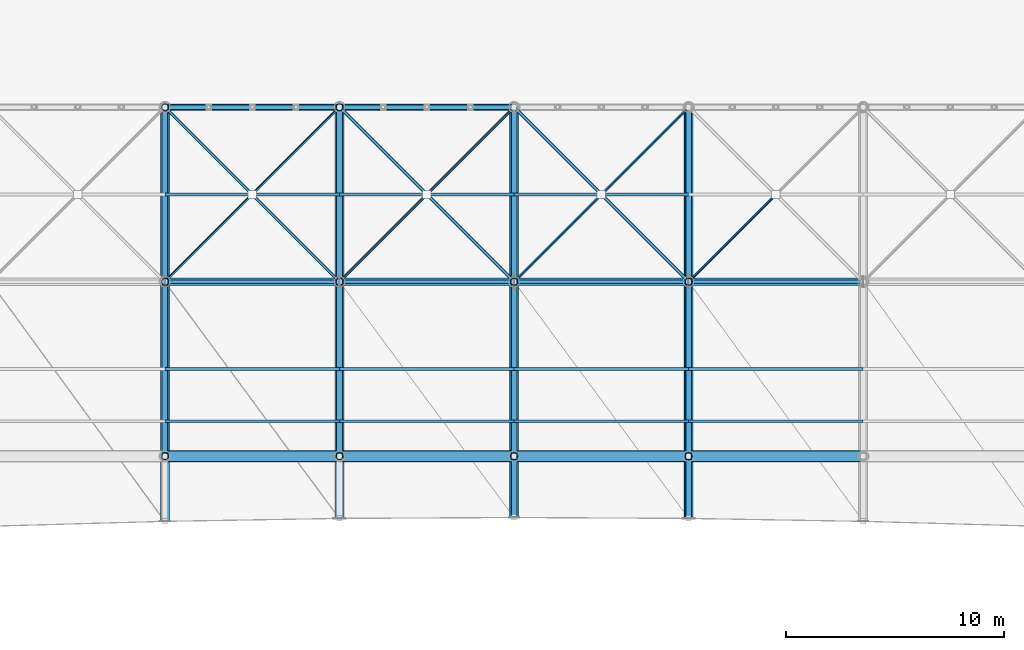
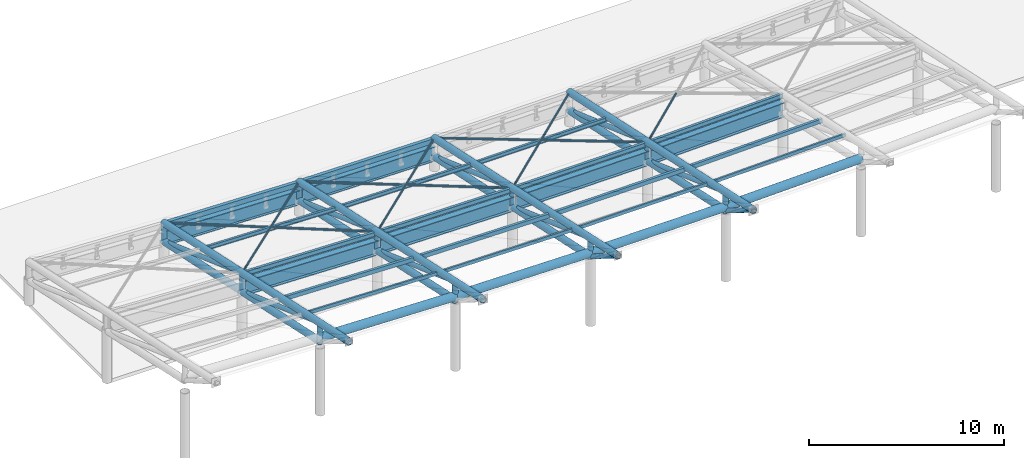
# One storey, part 17 of 54: 53 members, 12 beams.
"""IFC4 building model written with IfcOpenShell, lengths in metres."""

from ifc_helpers import new_model, si_unit, direction, frame, origin, origin_2d, place, context, subcontext, project, spatial, hollow_rectangle, hollow_circle, i_section, extrude, material, material_profile, profile_set, type_object, element, save


model = new_model("IFC4")

# Units and contexts
model_context = context("Model", 3, precision=1e-05, world=origin(), true_north=direction((0.0, 1.0)))
body_context = subcontext(model_context, "Body", "Model", "MODEL_VIEW")
ifc_project = project(units=[si_unit("LENGTHUNIT", "METRE"), si_unit("AREAUNIT", "SQUARE_METRE"), si_unit("VOLUMEUNIT", "CUBIC_METRE"), si_unit("PLANEANGLEUNIT", "RADIAN"), si_unit("MASSUNIT", "GRAM", prefix="KILO")], contexts=[model_context])

# Site, building, storey
site_placement = place(None, origin())
site = spatial("IfcSite", under=ifc_project, at=site_placement, CompositionType="ELEMENT")
building_placement = place(site_placement, origin())
building = spatial("IfcBuilding", under=site, at=building_placement, Name="Haebicheon Civic Stadium", CompositionType="ELEMENT")
storey_placement = place(building_placement, frame((0.0, 0.0, 22.800048828125)))
storey = spatial("IfcBuildingStorey", under=building, at=storey_placement, Name="L06", CompositionType="ELEMENT", Elevation=22.800048828125)

# Members
ifc_material_1 = material(Name="White painted steel SM490", Category="steel")
ifc_material_profile_1 = material_profile(ifc_material_1, hollow_circle(Radius=0.05712890625, WallThickness=0.006103515625, at=origin_2d()), Name="CHS-114.3x6.0")
ifc_profile_set_1 = profile_set([ifc_material_profile_1], Name="White painted steel SM490")
member_type_1 = type_object("IfcMemberType", Name="BRC-CHS114", PredefinedType="BRACE", material=ifc_profile_set_1)
for number, where, z_axis, x_axis, name in (
    (1, (96.0, 160.0, 2.0), (-0.696931970623, -0.696931970623, 0.169031525603), (0.707106781187, -0.707106781187, 0.0), "BR114 diagonal brace CAN-NORTH canopy bay 2 B1"),
    (2, (91.949951171875, 155.949951171875, 2.98193359375), (-0.696931970623, -0.696931970623, 0.169031525603), (0.707106781187, -0.707106781187, 0.0), "BR114 diagonal brace CAN-NORTH canopy bay 2 B2"),
):
    element("IfcMember", number, at=place(storey_placement, frame(where, z_axis=z_axis, x_axis=x_axis)), inside=storey, type_object=member_type_1, material=ifc_profile_set_1, Name=name, PredefinedType="BRACE", context=body_context, shape_type="SweptSolid", body=[
        extrude(hollow_circle(Radius=0.05712890625, WallThickness=0.006103515625, at=origin_2d()), origin(), (0.0, 0.0, 1.0), 5.667724609375),
    ])
member_1_placement = place(storey_placement, frame((104.0, 160.0, 1.927001953125), z_axis=(-0.698377172631, -0.698377172631, 0.156648171054), x_axis=(0.707106781187, -0.707106781187, 0.0)))
element("IfcMember", 3, at=member_1_placement, inside=storey, type_object=member_type_1, material=ifc_profile_set_1, Name="BR114 diagonal brace CAN-NORTH canopy bay 3 B1", PredefinedType="BRACE", context=body_context, shape_type="SweptSolid", body=[
    extrude(hollow_circle(Radius=0.05712890625, WallThickness=0.006103515625, at=origin_2d()), origin(), (0.0, 0.0, 1.0), 5.656005859375),
])
member_2_placement = place(storey_placement, frame((99.949951171875, 155.949951171875, 2.8349609375), z_axis=(-0.698396052193, -0.698396052193, 0.156479738501), x_axis=(0.707106781187, -0.707106781187, 0.0)))
element("IfcMember", 4, at=member_2_placement, inside=storey, type_object=member_type_1, material=ifc_profile_set_1, Name="BR114 diagonal brace CAN-NORTH canopy bay 3 B2", PredefinedType="BRACE", context=body_context, shape_type="SweptSolid", body=[
    extrude(hollow_circle(Radius=0.05712890625, WallThickness=0.006103515625, at=origin_2d()), origin(), (0.0, 0.0, 1.0), 5.65576171875),
])
for number, where, z_axis, x_axis, name in (
    (5, (112.0, 160.0, 2.0), (-0.699717478759, -0.699717478759, 0.144190498435), (0.707106781187, -0.707106781187, 0.0), "BR114 diagonal brace CAN-NORTH canopy bay 4 B1"),
    (6, (107.949951171875, 155.949951171875, 2.833984375), (-0.699734922757, -0.699734922757, 0.144021094801), (0.707106781187, -0.707106781187, 0.0), "BR114 diagonal brace CAN-NORTH canopy bay 4 B2"),
):
    element("IfcMember", number, at=place(storey_placement, frame(where, z_axis=z_axis, x_axis=x_axis)), inside=storey, type_object=member_type_1, material=ifc_profile_set_1, Name=name, PredefinedType="BRACE", context=body_context, shape_type="SweptSolid", body=[
        extrude(hollow_circle(Radius=0.05712890625, WallThickness=0.006103515625, at=origin_2d()), origin(), (0.0, 0.0, 1.0), 5.64501953125),
    ])
member_3_placement = place(storey_placement, frame((115.949951171875, 155.949951171875, 2.97900390625), z_axis=(-0.700966987649, -0.700966987649, 0.131493590921), x_axis=(0.707106781187, -0.707106781187, 0.0)))
element("IfcMember", 7, at=member_3_placement, inside=storey, type_object=member_type_1, material=ifc_profile_set_1, Name="BR114 diagonal brace CAN-NORTH canopy bay 5 B2", PredefinedType="BRACE", context=body_context, shape_type="SweptSolid", body=[
    extrude(hollow_circle(Radius=0.05712890625, WallThickness=0.006103515625, at=origin_2d()), origin(), (0.0, 0.0, 1.0), 5.635009765625),
])
ifc_material_2 = material(Name="White painted steel SM490", Category="steel")
ifc_material_profile_2 = material_profile(ifc_material_2, hollow_circle(Radius=0.06982421875, WallThickness=0.006591796875, at=origin_2d()), Name="CHS-139.8x6.6")
ifc_profile_set_2 = profile_set([ifc_material_profile_2], Name="White painted steel SM490")
member_type_2 = type_object("IfcMemberType", Name="BRC-CHS139", PredefinedType="BRACE", material=ifc_profile_set_2)
member_4_placement = place(storey_placement, frame((88.0, 160.0, 2.219970703125), z_axis=(0.700972726941, -0.700972726941, 0.131432386301), x_axis=(0.707106781187, 0.707106781187, 0.0)))
element("IfcMember", 8, at=member_4_placement, inside=storey, type_object=member_type_2, material=ifc_profile_set_2, Name="BR139 diagonal brace CAN-NORTH canopy bay 2 A", PredefinedType="BRACE", context=body_context, shape_type="SweptSolid", body=[
    extrude(hollow_circle(Radius=0.06982421875, WallThickness=0.006591796875, at=origin_2d()), origin(), (0.0, 0.0, 1.0), 11.41259765625),
])
member_5_placement = place(storey_placement, frame((96.0, 160.0, 2.0), z_axis=(0.699731451547, -0.699731451547, 0.144054820927), x_axis=(0.707106781187, 0.707106781187, 0.0)))
element("IfcMember", 9, at=member_5_placement, inside=storey, type_object=member_type_2, material=ifc_profile_set_2, Name="BR139 diagonal brace CAN-NORTH canopy bay 3 A", PredefinedType="BRACE", context=body_context, shape_type="SweptSolid", body=[
    extrude(hollow_circle(Radius=0.06982421875, WallThickness=0.006591796875, at=origin_2d()), origin(), (0.0, 0.0, 1.0), 11.432861328125),
])
member_6_placement = place(storey_placement, frame((104.0, 160.0, 1.927001953125), z_axis=(0.698391073752, -0.698391073752, 0.156524171315), x_axis=(0.707106781187, 0.707106781187, 0.0)))
element("IfcMember", 10, at=member_6_placement, inside=storey, type_object=member_type_2, material=ifc_profile_set_2, Name="BR139 diagonal brace CAN-NORTH canopy bay 4 A", PredefinedType="BRACE", context=body_context, shape_type="SweptSolid", body=[
    extrude(hollow_circle(Radius=0.06982421875, WallThickness=0.006591796875, at=origin_2d()), origin(), (0.0, 0.0, 1.0), 11.454833984375),
])
ifc_material_3 = material(Name="White painted steel SM490", Category="steel")
ifc_material_profile_3 = material_profile(ifc_material_3, hollow_circle(Radius=0.1337890625, WallThickness=0.011962890625, at=origin_2d()), Name="CHS-267.4x12.0")
ifc_profile_set_3 = profile_set([ifc_material_profile_3], Name="White painted steel SM490")
member_type_3 = type_object("IfcMemberType", Name="BRC-CHS267", PredefinedType="BRACE", material=ifc_profile_set_3)
for number, where, z_axis, x_axis, name in (
    (11, (88.0, 160.0, 1.070068359375), (0.0, -0.9412665544, 0.3376644393), (1.0, 0.0, 0.0), "BR267 diagonal brace CAN-NORTH truss 2 D1"),
    (12, (88.0, 152.0, 2.7900390625), (0.0, -0.9412665544, 0.3376644393), (1.0, 0.0, 0.0), "BR267 diagonal brace CAN-NORTH truss 2 D2"),
    (13, (96.0, 160.0, 0.849853515625), (0.0, -0.941257424358, 0.337689888939), (1.0, 0.0, 0.0), "BR267 diagonal brace CAN-NORTH truss 3 D1"),
    (14, (96.0, 152.0, 2.570068359375), (0.0, -0.9412665544, 0.3376644393), (1.0, 0.0, 0.0), "BR267 diagonal brace CAN-NORTH truss 3 D2"),
):
    element("IfcMember", number, at=place(storey_placement, frame(where, z_axis=z_axis, x_axis=x_axis)), inside=storey, type_object=member_type_3, material=ifc_profile_set_3, Name=name, PredefinedType="BRACE", context=body_context, shape_type="SweptSolid", body=[
        extrude(hollow_circle(Radius=0.1337890625, WallThickness=0.011962890625, at=origin_2d()), origin(), (0.0, 0.0, 1.0), 8.499267578125),
    ])
member_7_placement = place(storey_placement, frame((104.0, 143.881103515625, 4.291015625), z_axis=(0.0, -0.847677255157, 0.530512272327), x_axis=(1.0, 0.0, 0.0)))
element("IfcMember", 15, at=member_7_placement, inside=storey, type_object=member_type_3, material=ifc_profile_set_3, Name="BR267 diagonal brace CAN-NORTH truss 4 tip", PredefinedType="BRACE", context=body_context, shape_type="SweptSolid", body=[
    extrude(hollow_circle(Radius=0.1337890625, WallThickness=0.011962890625, at=origin_2d()), origin(), (0.0, 0.0, 1.0), 3.162841796875),
])
for number, where, z_axis, x_axis, name in (
    (16, (104.0, 160.0, 0.77685546875), (0.0, -0.941257424358, 0.337689888939), (1.0, 0.0, 0.0), "BR267 diagonal brace CAN-NORTH truss 4 D1"),
    (17, (104.0, 152.0, 2.4970703125), (0.0, -0.9412665544, 0.3376644393), (1.0, 0.0, 0.0), "BR267 diagonal brace CAN-NORTH truss 4 D2"),
):
    element("IfcMember", number, at=place(storey_placement, frame(where, z_axis=z_axis, x_axis=x_axis)), inside=storey, type_object=member_type_3, material=ifc_profile_set_3, Name=name, PredefinedType="BRACE", context=body_context, shape_type="SweptSolid", body=[
        extrude(hollow_circle(Radius=0.1337890625, WallThickness=0.011962890625, at=origin_2d()), origin(), (0.0, 0.0, 1.0), 8.499267578125),
    ])
member_8_placement = place(storey_placement, frame((112.0, 143.881103515625, 4.364013671875), z_axis=(0.0, -0.850258653068, 0.526365104166), x_axis=(1.0, 0.0, 0.0)))
element("IfcMember", 18, at=member_8_placement, inside=storey, type_object=member_type_3, material=ifc_profile_set_3, Name="BR267 diagonal brace CAN-NORTH truss 5 tip", PredefinedType="BRACE", context=body_context, shape_type="SweptSolid", body=[
    extrude(hollow_circle(Radius=0.1337890625, WallThickness=0.011962890625, at=origin_2d()), origin(), (0.0, 0.0, 1.0), 3.205078125),
])
for number, where, z_axis, x_axis, name in (
    (19, (112.0, 160.0, 0.849853515625), (0.0, -0.941257424358, 0.337689888939), (1.0, 0.0, 0.0), "BR267 diagonal brace CAN-NORTH truss 5 D1"),
    (20, (112.0, 152.0, 2.570068359375), (0.0, -0.9412665544, 0.3376644393), (1.0, 0.0, 0.0), "BR267 diagonal brace CAN-NORTH truss 5 D2"),
):
    element("IfcMember", number, at=place(storey_placement, frame(where, z_axis=z_axis, x_axis=x_axis)), inside=storey, type_object=member_type_3, material=ifc_profile_set_3, Name=name, PredefinedType="BRACE", context=body_context, shape_type="SweptSolid", body=[
        extrude(hollow_circle(Radius=0.1337890625, WallThickness=0.011962890625, at=origin_2d()), origin(), (0.0, 0.0, 1.0), 8.499267578125),
    ])
ifc_material_4 = material(Name="White painted steel SM490", Category="steel")
ifc_material_profile_4 = material_profile(ifc_material_4, hollow_circle(Radius=0.203125, WallThickness=0.01806640625, at=origin_2d()), Name="CHS-406.4x18.0")
ifc_profile_set_4 = profile_set([ifc_material_profile_4], Name="White painted steel SM490")
member_type_4 = type_object("IfcMemberType", Name="CHD-CHS406", PredefinedType="CHORD", material=ifc_profile_set_4)
member_9_placement = place(storey_placement, frame((88.0, 160.0, 2.219970703125), z_axis=(0.0, -0.977661207526, 0.210186972241), x_axis=(1.0, 0.0, 0.0)))
element("IfcMember", 21, at=member_9_placement, inside=storey, type_object=member_type_4, material=ifc_profile_set_4, Name="CH406 truss chord CAN-NORTH 2 top", PredefinedType="CHORD", context=body_context, shape_type="SweptSolid", body=[
    extrude(hollow_circle(Radius=0.203125, WallThickness=0.01806640625, at=origin_2d()), origin(), (0.0, 0.0, 1.0), 19.41162109375),
])
member_10_placement = place(storey_placement, frame((88.0, 160.0, 1.070068359375), z_axis=(0.0, -0.977659849808, 0.210193287411), x_axis=(1.0, 0.0, 0.0)))
element("IfcMember", 22, at=member_10_placement, inside=storey, type_object=member_type_4, material=ifc_profile_set_4, Name="CH406 truss chord CAN-NORTH 2 bottom", PredefinedType="CHORD", context=body_context, shape_type="SweptSolid", body=[
    extrude(hollow_circle(Radius=0.203125, WallThickness=0.01806640625, at=origin_2d()), origin(), (0.0, 0.0, 1.0), 16.36572265625),
])
member_11_placement = place(storey_placement, frame((96.0, 160.0, 2.0), z_axis=(0.0, -0.977663734105, 0.210175219797), x_axis=(1.0, 0.0, 0.0)))
element("IfcMember", 23, at=member_11_placement, inside=storey, type_object=member_type_4, material=ifc_profile_set_4, Name="CH406 truss chord CAN-NORTH 3 top", PredefinedType="CHORD", context=body_context, shape_type="SweptSolid", body=[
    extrude(hollow_circle(Radius=0.203125, WallThickness=0.01806640625, at=origin_2d()), origin(), (0.0, 0.0, 1.0), 19.2744140625),
])
member_12_placement = place(storey_placement, frame((96.0, 160.0, 0.849853515625), z_axis=(0.0, -0.977656784121, 0.210207546159), x_axis=(1.0, 0.0, 0.0)))
element("IfcMember", 24, at=member_12_placement, inside=storey, type_object=member_type_4, material=ifc_profile_set_4, Name="CH406 truss chord CAN-NORTH 3 bottom", PredefinedType="CHORD", context=body_context, shape_type="SweptSolid", body=[
    extrude(hollow_circle(Radius=0.203125, WallThickness=0.01806640625, at=origin_2d()), origin(), (0.0, 0.0, 1.0), 16.36572265625),
])
member_13_placement = place(storey_placement, frame((104.0, 160.0, 1.927001953125), z_axis=(0.0, -0.977659309739, 0.21019579939), x_axis=(1.0, 0.0, 0.0)))
element("IfcMember", 25, at=member_13_placement, inside=storey, type_object=member_type_4, material=ifc_profile_set_4, Name="CH406 truss chord CAN-NORTH 4 top", PredefinedType="CHORD", context=body_context, shape_type="SweptSolid", body=[
    extrude(hollow_circle(Radius=0.203125, WallThickness=0.01806640625, at=origin_2d()), origin(), (0.0, 0.0, 1.0), 19.229736328125),
])
member_14_placement = place(storey_placement, frame((104.0, 160.0, 0.77685546875), z_axis=(0.0, -0.977656784121, 0.210207546159), x_axis=(1.0, 0.0, 0.0)))
element("IfcMember", 26, at=member_14_placement, inside=storey, type_object=member_type_4, material=ifc_profile_set_4, Name="CH406 truss chord CAN-NORTH 4 bottom", PredefinedType="CHORD", context=body_context, shape_type="SweptSolid", body=[
    extrude(hollow_circle(Radius=0.203125, WallThickness=0.01806640625, at=origin_2d()), origin(), (0.0, 0.0, 1.0), 16.36572265625),
])
member_15_placement = place(storey_placement, frame((112.0, 160.0, 2.0), z_axis=(0.0, -0.977663734105, 0.210175219797), x_axis=(1.0, 0.0, 0.0)))
element("IfcMember", 27, at=member_15_placement, inside=storey, type_object=member_type_4, material=ifc_profile_set_4, Name="CH406 truss chord CAN-NORTH 5 top", PredefinedType="CHORD", context=body_context, shape_type="SweptSolid", body=[
    extrude(hollow_circle(Radius=0.203125, WallThickness=0.01806640625, at=origin_2d()), origin(), (0.0, 0.0, 1.0), 19.2744140625),
])
member_16_placement = place(storey_placement, frame((112.0, 160.0, 0.849853515625), z_axis=(0.0, -0.977656784121, 0.210207546159), x_axis=(1.0, 0.0, 0.0)))
element("IfcMember", 28, at=member_16_placement, inside=storey, type_object=member_type_4, material=ifc_profile_set_4, Name="CH406 truss chord CAN-NORTH 5 bottom", PredefinedType="CHORD", context=body_context, shape_type="SweptSolid", body=[
    extrude(hollow_circle(Radius=0.203125, WallThickness=0.01806640625, at=origin_2d()), origin(), (0.0, 0.0, 1.0), 16.36572265625),
])
ifc_material_5 = material(Name="White painted steel SM490", Category="steel")
ifc_material_profile_5 = material_profile(ifc_material_5, hollow_rectangle(XDim=0.10009765625, YDim=0.199951171875, WallThickness=0.008056640625, at=origin_2d()), Name="RHS-200x100x8.0")
ifc_profile_set_5 = profile_set([ifc_material_profile_5], Name="White painted steel SM490")
member_type_5 = type_object("IfcMemberType", Name="PRL-RHS200", PredefinedType="RAFTER", material=ifc_profile_set_5)
member_17_placement = place(storey_placement, frame((88.0, 145.60009765625, 5.27392578125), z_axis=(0.99962218992, 0.0, -0.027485949497), x_axis=(0.0, 1.0, 0.0)))
element("IfcMember", 29, at=member_17_placement, inside=storey, type_object=member_type_5, material=ifc_profile_set_5, Name="CAN-NORTH canopy purlin bay 2 (90%)", PredefinedType="RAFTER", context=body_context, shape_type="SweptSolid", body=[
    extrude(hollow_rectangle(XDim=0.10009765625, YDim=0.199951171875, WallThickness=0.008056640625, at=origin_2d()), origin(), (0.0, 0.0, 1.0), 8.0029296875),
])
for number, where, z_axis, x_axis, name in (
    (30, (96.0, 145.60009765625, 5.053955078125), (0.999958372015, 0.0, -0.009124376014), (0.0, 1.0, 0.0), "CAN-NORTH canopy purlin bay 3 (90%)"),
    (31, (104.0, 145.60009765625, 4.98095703125), (0.999958372015, 0.0, 0.009124376014), (0.0, 1.0, 0.0), "CAN-NORTH canopy purlin bay 4 (90%)"),
):
    element("IfcMember", number, at=place(storey_placement, frame(where, z_axis=z_axis, x_axis=x_axis)), inside=storey, type_object=member_type_5, material=ifc_profile_set_5, Name=name, PredefinedType="RAFTER", context=body_context, shape_type="SweptSolid", body=[
        extrude(hollow_rectangle(XDim=0.10009765625, YDim=0.199951171875, WallThickness=0.008056640625, at=origin_2d()), origin(), (0.0, 0.0, 1.0), 8.000244140625),
    ])
member_18_placement = place(storey_placement, frame((112.0, 145.60009765625, 5.053955078125), z_axis=(0.99962218992, 0.0, 0.027485949497), x_axis=(0.0, 1.0, 0.0)))
element("IfcMember", 32, at=member_18_placement, inside=storey, type_object=member_type_5, material=ifc_profile_set_5, Name="CAN-NORTH canopy purlin bay 5 (90%)", PredefinedType="RAFTER", context=body_context, shape_type="SweptSolid", body=[
    extrude(hollow_rectangle(XDim=0.10009765625, YDim=0.199951171875, WallThickness=0.008056640625, at=origin_2d()), origin(), (0.0, 0.0, 1.0), 8.0029296875),
])
ifc_material_6 = material(Name="White painted steel SM490", Category="steel")
ifc_material_profile_6 = material_profile(ifc_material_6, hollow_rectangle(XDim=0.14990234375, YDim=0.25, WallThickness=0.010009765625, at=origin_2d()), Name="RHS-250x150x10.0")
ifc_profile_set_6 = profile_set([ifc_material_profile_6], Name="White painted steel SM490")
member_type_6 = type_object("IfcMemberType", Name="PRL-RHS250", PredefinedType="PURLIN", material=ifc_profile_set_6)
member_19_placement = place(storey_placement, frame((88.0, 148.0, 4.73291015625), z_axis=(0.99962218992, 0.0, -0.027485949497), x_axis=(0.0, 1.0, 0.0)))
element("IfcMember", 33, at=member_19_placement, inside=storey, type_object=member_type_6, material=ifc_profile_set_6, Name="CAN-NORTH canopy purlin bay 2 (75%)", PredefinedType="PURLIN", context=body_context, shape_type="SweptSolid", body=[
    extrude(hollow_rectangle(XDim=0.14990234375, YDim=0.25, WallThickness=0.010009765625, at=origin_2d()), origin(), (0.0, 0.0, 1.0), 8.0029296875),
])
for number, where, z_axis, x_axis, name in (
    (34, (96.0, 148.0, 4.512939453125), (0.999958372015, 0.0, -0.009124376014), (0.0, 1.0, 0.0), "CAN-NORTH canopy purlin bay 3 (75%)"),
    (35, (104.0, 148.0, 4.43994140625), (0.999958372015, 0.0, 0.009124376014), (0.0, 1.0, 0.0), "CAN-NORTH canopy purlin bay 4 (75%)"),
):
    element("IfcMember", number, at=place(storey_placement, frame(where, z_axis=z_axis, x_axis=x_axis)), inside=storey, type_object=member_type_6, material=ifc_profile_set_6, Name=name, PredefinedType="PURLIN", context=body_context, shape_type="SweptSolid", body=[
        extrude(hollow_rectangle(XDim=0.14990234375, YDim=0.25, WallThickness=0.010009765625, at=origin_2d()), origin(), (0.0, 0.0, 1.0), 8.000244140625),
    ])
member_20_placement = place(storey_placement, frame((112.0, 148.0, 4.512939453125), z_axis=(0.99962218992, 0.0, 0.027485949497), x_axis=(0.0, 1.0, 0.0)))
element("IfcMember", 36, at=member_20_placement, inside=storey, type_object=member_type_6, material=ifc_profile_set_6, Name="CAN-NORTH canopy purlin bay 5 (75%)", PredefinedType="PURLIN", context=body_context, shape_type="SweptSolid", body=[
    extrude(hollow_rectangle(XDim=0.14990234375, YDim=0.25, WallThickness=0.010009765625, at=origin_2d()), origin(), (0.0, 0.0, 1.0), 8.0029296875),
])
ifc_material_7 = material(Name="White painted steel SM490", Category="steel")
ifc_material_profile_7 = material_profile(ifc_material_7, i_section(OverallWidth=0.125, OverallDepth=0.25, WebThickness=0.006103515625, FlangeThickness=0.009033203125, at=origin_2d()), Name="H-250x125x6x9")
ifc_profile_set_7 = profile_set([ifc_material_profile_7], Name="White painted steel SM490")
member_type_7 = type_object("IfcMemberType", Name="PRL-ST-H250", PredefinedType="PURLIN", material=ifc_profile_set_7)
member_21_placement = place(storey_placement, frame((88.0, 156.0, 3.012939453125), z_axis=(0.99962218992, 0.0, -0.027485949497), x_axis=(0.0, 1.0, 0.0)))
element("IfcMember", 37, at=member_21_placement, inside=storey, type_object=member_type_7, material=ifc_profile_set_7, Name="CAN-NORTH canopy purlin bay 2 (25%)", PredefinedType="PURLIN", context=body_context, shape_type="SweptSolid", body=[
    extrude(i_section(OverallWidth=0.125, OverallDepth=0.25, WebThickness=0.006103515625, FlangeThickness=0.009033203125, at=origin_2d()), origin(), (0.0, 0.0, 1.0), 8.0029296875),
])
for number, where, z_axis, x_axis, name in (
    (38, (96.0, 156.0, 2.79296875), (0.999958372015, 0.0, -0.009124376014), (0.0, 1.0, 0.0), "CAN-NORTH canopy purlin bay 3 (25%)"),
    (39, (104.0, 156.0, 2.719970703125), (0.999958372015, 0.0, 0.009124376014), (0.0, 1.0, 0.0), "CAN-NORTH canopy purlin bay 4 (25%)"),
):
    element("IfcMember", number, at=place(storey_placement, frame(where, z_axis=z_axis, x_axis=x_axis)), inside=storey, type_object=member_type_7, material=ifc_profile_set_7, Name=name, PredefinedType="PURLIN", context=body_context, shape_type="SweptSolid", body=[
        extrude(i_section(OverallWidth=0.125, OverallDepth=0.25, WebThickness=0.006103515625, FlangeThickness=0.009033203125, at=origin_2d()), origin(), (0.0, 0.0, 1.0), 8.000244140625),
    ])
ifc_material_8 = material(Name="White painted steel SM490", Category="steel")
ifc_material_profile_8 = material_profile(ifc_material_8, i_section(OverallWidth=0.14990234375, OverallDepth=0.300048828125, WebThickness=0.006591796875, FlangeThickness=0.009033203125, at=origin_2d()), Name="H-300x150x6.5x9")
ifc_profile_set_8 = profile_set([ifc_material_profile_8], Name="White painted steel SM490")
member_type_8 = type_object("IfcMemberType", Name="PRL-ST-H300", PredefinedType="PURLIN", material=ifc_profile_set_8)
member_22_placement = place(storey_placement, frame((88.0, 152.0, 3.847900390625), z_axis=(0.99962218992, 0.0, -0.027485949497), x_axis=(0.0, 1.0, 0.0)))
element("IfcMember", 40, at=member_22_placement, inside=storey, type_object=member_type_8, material=ifc_profile_set_8, Name="CAN-NORTH canopy purlin bay 2 (50%)", PredefinedType="PURLIN", context=body_context, shape_type="SweptSolid", body=[
    extrude(i_section(OverallWidth=0.14990234375, OverallDepth=0.300048828125, WebThickness=0.006591796875, FlangeThickness=0.009033203125, at=origin_2d()), origin(), (0.0, 0.0, 1.0), 8.0029296875),
])
for number, where, z_axis, x_axis, name in (
    (41, (96.0, 152.0, 3.6279296875), (0.999958372015, 0.0, -0.009124376014), (0.0, 1.0, 0.0), "CAN-NORTH canopy purlin bay 3 (50%)"),
    (42, (104.0, 152.0, 3.554931640625), (0.999958372015, 0.0, 0.009124376014), (0.0, 1.0, 0.0), "CAN-NORTH canopy purlin bay 4 (50%)"),
):
    element("IfcMember", number, at=place(storey_placement, frame(where, z_axis=z_axis, x_axis=x_axis)), inside=storey, type_object=member_type_8, material=ifc_profile_set_8, Name=name, PredefinedType="PURLIN", context=body_context, shape_type="SweptSolid", body=[
        extrude(i_section(OverallWidth=0.14990234375, OverallDepth=0.300048828125, WebThickness=0.006591796875, FlangeThickness=0.009033203125, at=origin_2d()), origin(), (0.0, 0.0, 1.0), 8.000244140625),
    ])
member_23_placement = place(storey_placement, frame((112.0, 152.0, 3.6279296875), z_axis=(0.99962218992, 0.0, 0.027485949497), x_axis=(0.0, 1.0, 0.0)))
element("IfcMember", 43, at=member_23_placement, inside=storey, type_object=member_type_8, material=ifc_profile_set_8, Name="CAN-NORTH canopy purlin bay 5 (50%)", PredefinedType="PURLIN", context=body_context, shape_type="SweptSolid", body=[
    extrude(i_section(OverallWidth=0.14990234375, OverallDepth=0.300048828125, WebThickness=0.006591796875, FlangeThickness=0.009033203125, at=origin_2d()), origin(), (0.0, 0.0, 1.0), 8.0029296875),
])

# Beams
ifc_material_9 = material(Name="White painted steel SM490", Category="steel")
ifc_material_profile_9 = material_profile(ifc_material_9, hollow_circle(Radius=0.25390625, WallThickness=0.02490234375, at=origin_2d()), Name="CHS-508.0x25.0")
ifc_profile_set_9 = profile_set([ifc_material_profile_9], Name="White painted steel SM490")
beam_type_1 = type_object("IfcBeamType", Name="RB-ST-CHS508", PredefinedType="USERDEFINED", material=ifc_profile_set_9)
beam_1_placement = place(storey_placement, frame((88.0, 144.0, 4.760009765625), z_axis=(0.99962218992, 0.0, -0.027485949497), x_axis=(0.0, 1.0, 0.0)))
element("IfcBeam", 44, at=beam_1_placement, inside=storey, type_object=beam_type_1, material=ifc_profile_set_9, Name="CAN-NORTH polygonal ring beam RB-PIR bay 2", ObjectType="RING BEAM", PredefinedType="USERDEFINED", context=body_context, shape_type="SweptSolid", body=[
    extrude(hollow_circle(Radius=0.25390625, WallThickness=0.02490234375, at=origin_2d()), origin(), (0.0, 0.0, 1.0), 8.0029296875),
])
for number, where, z_axis, x_axis, name in (
    (45, (96.0, 144.0, 4.5400390625), (0.999958372015, 0.0, -0.009124376014), (0.0, 1.0, 0.0), "CAN-NORTH polygonal ring beam RB-PIR bay 3"),
    (46, (104.0, 144.0, 4.467041015625), (0.999958372015, 0.0, 0.009124376014), (0.0, 1.0, 0.0), "CAN-NORTH polygonal ring beam RB-PIR bay 4"),
):
    element("IfcBeam", number, at=place(storey_placement, frame(where, z_axis=z_axis, x_axis=x_axis)), inside=storey, type_object=beam_type_1, material=ifc_profile_set_9, Name=name, ObjectType="RING BEAM", PredefinedType="USERDEFINED", context=body_context, shape_type="SweptSolid", body=[
        extrude(hollow_circle(Radius=0.25390625, WallThickness=0.02490234375, at=origin_2d()), origin(), (0.0, 0.0, 1.0), 8.000244140625),
    ])
beam_2_placement = place(storey_placement, frame((112.0, 144.0, 4.5400390625), z_axis=(0.99962218992, 0.0, 0.027485949497), x_axis=(0.0, 1.0, 0.0)))
element("IfcBeam", 47, at=beam_2_placement, inside=storey, type_object=beam_type_1, material=ifc_profile_set_9, Name="CAN-NORTH polygonal ring beam RB-PIR bay 5", ObjectType="RING BEAM", PredefinedType="USERDEFINED", context=body_context, shape_type="SweptSolid", body=[
    extrude(hollow_circle(Radius=0.25390625, WallThickness=0.02490234375, at=origin_2d()), origin(), (0.0, 0.0, 1.0), 8.0029296875),
])
ifc_material_10 = material(Name="White painted steel SM490", Category="steel")
ifc_material_profile_10 = material_profile(ifc_material_10, i_section(OverallWidth=0.35009765625, OverallDepth=0.89990234375, WebThickness=0.01806640625, FlangeThickness=0.031982421875, at=origin_2d()), Name="H-900x350x18x32")
ifc_profile_set_10 = profile_set([ifc_material_profile_10], Name="White painted steel SM490")
beam_type_2 = type_object("IfcBeamType", Name="RB-ST-H900A", PredefinedType="USERDEFINED", material=ifc_profile_set_10)
beam_3_placement = place(storey_placement, frame((88.0, 152.0, 3.0400390625), z_axis=(0.99962218992, 0.0, -0.027485949497), x_axis=(0.0, 1.0, 0.0)))
element("IfcBeam", 48, at=beam_3_placement, inside=storey, type_object=beam_type_2, material=ifc_profile_set_10, Name="CAN-NORTH polygonal ring beam RB-PIV bay 2", ObjectType="RING BEAM", PredefinedType="USERDEFINED", context=body_context, shape_type="SweptSolid", body=[
    extrude(i_section(OverallWidth=0.35009765625, OverallDepth=0.89990234375, WebThickness=0.01806640625, FlangeThickness=0.031982421875, at=origin_2d()), origin(), (0.0, 0.0, 1.0), 8.0029296875),
])
for number, where, z_axis, x_axis, name in (
    (49, (96.0, 152.0, 2.820068359375), (0.999958372015, 0.0, -0.009124376014), (0.0, 1.0, 0.0), "CAN-NORTH polygonal ring beam RB-PIV bay 3"),
    (50, (104.0, 152.0, 2.7470703125), (0.999958372015, 0.0, 0.009124376014), (0.0, 1.0, 0.0), "CAN-NORTH polygonal ring beam RB-PIV bay 4"),
):
    element("IfcBeam", number, at=place(storey_placement, frame(where, z_axis=z_axis, x_axis=x_axis)), inside=storey, type_object=beam_type_2, material=ifc_profile_set_10, Name=name, ObjectType="RING BEAM", PredefinedType="USERDEFINED", context=body_context, shape_type="SweptSolid", body=[
        extrude(i_section(OverallWidth=0.35009765625, OverallDepth=0.89990234375, WebThickness=0.01806640625, FlangeThickness=0.031982421875, at=origin_2d()), origin(), (0.0, 0.0, 1.0), 8.000244140625),
    ])
beam_4_placement = place(storey_placement, frame((112.0, 152.0, 2.820068359375), z_axis=(0.99962218992, 0.0, 0.027485949497), x_axis=(0.0, 1.0, 0.0)))
element("IfcBeam", 51, at=beam_4_placement, inside=storey, type_object=beam_type_2, material=ifc_profile_set_10, Name="CAN-NORTH polygonal ring beam RB-PIV bay 5", ObjectType="RING BEAM", PredefinedType="USERDEFINED", context=body_context, shape_type="SweptSolid", body=[
    extrude(i_section(OverallWidth=0.35009765625, OverallDepth=0.89990234375, WebThickness=0.01806640625, FlangeThickness=0.031982421875, at=origin_2d()), origin(), (0.0, 0.0, 1.0), 8.0029296875),
])
ifc_material_11 = material(Name="White painted steel SM490", Category="steel")
ifc_material_profile_11 = material_profile(ifc_material_11, i_section(OverallWidth=0.300048828125, OverallDepth=0.89990234375, WebThickness=0.01611328125, FlangeThickness=0.028076171875, at=origin_2d()), Name="H-900x300x16x28")
ifc_profile_set_11 = profile_set([ifc_material_profile_11], Name="White painted steel SM490")
beam_type_3 = type_object("IfcBeamType", Name="RB-ST-H900B", PredefinedType="USERDEFINED", material=ifc_profile_set_11)
beam_5_placement = place(storey_placement, frame((88.0, 160.0, 1.320068359375), z_axis=(0.999621351285, 0.0, -0.02751643246), x_axis=(0.0, 1.0, 0.0)))
element("IfcBeam", 52, at=beam_5_placement, inside=storey, type_object=beam_type_3, material=ifc_profile_set_11, Name="CAN-NORTH polygonal ring beam RB-BCK bay 2", ObjectType="RING BEAM", PredefinedType="USERDEFINED", context=body_context, shape_type="SweptSolid", body=[
    extrude(i_section(OverallWidth=0.300048828125, OverallDepth=0.89990234375, WebThickness=0.01611328125, FlangeThickness=0.028076171875, at=origin_2d()), origin(), (0.0, 0.0, 1.0), 8.0029296875),
])
beam_6_placement = place(storey_placement, frame((96.0, 160.0, 1.099853515625), z_axis=(0.999958372015, 0.0, -0.009124376014), x_axis=(0.0, 1.0, 0.0)))
element("IfcBeam", 53, at=beam_6_placement, inside=storey, type_object=beam_type_3, material=ifc_profile_set_11, Name="CAN-NORTH polygonal ring beam RB-BCK bay 3", ObjectType="RING BEAM", PredefinedType="USERDEFINED", context=body_context, shape_type="SweptSolid", body=[
    extrude(i_section(OverallWidth=0.300048828125, OverallDepth=0.89990234375, WebThickness=0.01611328125, FlangeThickness=0.028076171875, at=origin_2d()), origin(), (0.0, 0.0, 1.0), 8.000244140625),
])
ifc_material_12 = material(Name="White painted steel SM490", Category="steel")
ifc_material_profile_12 = material_profile(ifc_material_12, hollow_rectangle(XDim=0.199951171875, YDim=0.300048828125, WallThickness=0.011962890625, at=origin_2d()), Name="RHS-300x200x12.0")
ifc_profile_set_12 = profile_set([ifc_material_profile_12], Name="White painted steel SM490")
beam_type_4 = type_object("IfcBeamType", Name="RB-ST-RHS300", PredefinedType="USERDEFINED", material=ifc_profile_set_12)
beam_7_placement = place(storey_placement, frame((88.0, 160.0, 2.119873046875), z_axis=(0.99962218992, 0.0, -0.027485949497), x_axis=(0.0, 1.0, 0.0)))
element("IfcBeam", 54, at=beam_7_placement, inside=storey, type_object=beam_type_4, material=ifc_profile_set_12, Name="CAN-NORTH polygonal ring beam RB-TOP bay 2", ObjectType="RING BEAM", PredefinedType="USERDEFINED", context=body_context, shape_type="SweptSolid", body=[
    extrude(hollow_rectangle(XDim=0.199951171875, YDim=0.300048828125, WallThickness=0.011962890625, at=origin_2d()), origin(), (0.0, 0.0, 1.0), 8.0029296875),
])
beam_8_placement = place(storey_placement, frame((96.0, 160.0, 1.89990234375), z_axis=(0.999958372015, 0.0, -0.009124376014), x_axis=(0.0, 1.0, 0.0)))
element("IfcBeam", 55, at=beam_8_placement, inside=storey, type_object=beam_type_4, material=ifc_profile_set_12, Name="CAN-NORTH polygonal ring beam RB-TOP bay 3", ObjectType="RING BEAM", PredefinedType="USERDEFINED", context=body_context, shape_type="SweptSolid", body=[
    extrude(hollow_rectangle(XDim=0.199951171875, YDim=0.300048828125, WallThickness=0.011962890625, at=origin_2d()), origin(), (0.0, 0.0, 1.0), 8.000244140625),
])

# Members
ifc_material_13 = material(Name="White painted steel SM490", Category="steel")
ifc_material_profile_13 = material_profile(ifc_material_13, hollow_circle(Radius=0.1591796875, WallThickness=0.013916015625, at=origin_2d()), Name="CHS-318.5x14.0")
ifc_profile_set_13 = profile_set([ifc_material_profile_13], Name="White painted steel SM490")
member_type_9 = type_object("IfcMemberType", Name="STR-CHS318", PredefinedType="STRUT", material=ifc_profile_set_13)
for number, where, z_axis, x_axis, name in (
    (56, (88.0, 160.0, 1.070068359375), (0.0, 0.0, 1.0), (1.0, 0.0, 0.0), "ST318 web strut CAN-NORTH truss 2 VB"),
    (57, (88.0, 152.0, 2.7900390625), (0.0, 0.0, 1.0), (1.0, 0.0, 0.0), "ST318 web strut CAN-NORTH truss 2 VP"),
    (58, (88.0, 144.0, 4.510009765625), (0.0, 0.0, 1.0), (1.0, 0.0, 0.0), "ST318 web strut CAN-NORTH truss 2 VR"),
):
    element("IfcMember", number, at=place(storey_placement, frame(where, z_axis=z_axis, x_axis=x_axis)), inside=storey, type_object=member_type_9, material=ifc_profile_set_13, Name=name, PredefinedType="STRUT", context=body_context, shape_type="SweptSolid", body=[
        extrude(hollow_circle(Radius=0.1591796875, WallThickness=0.013916015625, at=origin_2d()), origin(), (0.0, 0.0, 1.0), 1.14990234375),
    ])
member_24_placement = place(storey_placement, frame((96.0, 160.0, 0.849853515625), z_axis=(0.0, 0.0, 1.0), x_axis=(1.0, 0.0, 0.0)))
element("IfcMember", 59, at=member_24_placement, inside=storey, type_object=member_type_9, material=ifc_profile_set_13, Name="ST318 web strut CAN-NORTH truss 3 VB", PredefinedType="STRUT", context=body_context, shape_type="SweptSolid", body=[
    extrude(hollow_circle(Radius=0.1591796875, WallThickness=0.013916015625, at=origin_2d()), origin(), (0.0, 0.0, 1.0), 1.150146484375),
])
for number, where, z_axis, x_axis, name in (
    (60, (96.0, 152.0, 2.570068359375), (0.0, 0.0, 1.0), (1.0, 0.0, 0.0), "ST318 web strut CAN-NORTH truss 3 VP"),
    (61, (96.0, 144.0, 4.2900390625), (0.0, 0.0, 1.0), (1.0, 0.0, 0.0), "ST318 web strut CAN-NORTH truss 3 VR"),
    (62, (104.0, 152.0, 2.4970703125), (0.0, 0.0, 1.0), (1.0, 0.0, 0.0), "ST318 web strut CAN-NORTH truss 4 VP"),
    (63, (104.0, 144.0, 4.217041015625), (0.0, 0.0, 1.0), (1.0, 0.0, 0.0), "ST318 web strut CAN-NORTH truss 4 VR"),
    (64, (112.0, 152.0, 2.570068359375), (0.0, 0.0, 1.0), (1.0, 0.0, 0.0), "ST318 web strut CAN-NORTH truss 5 VP"),
    (65, (112.0, 144.0, 4.2900390625), (0.0, 0.0, 1.0), (1.0, 0.0, 0.0), "ST318 web strut CAN-NORTH truss 5 VR"),
):
    element("IfcMember", number, at=place(storey_placement, frame(where, z_axis=z_axis, x_axis=x_axis)), inside=storey, type_object=member_type_9, material=ifc_profile_set_13, Name=name, PredefinedType="STRUT", context=body_context, shape_type="SweptSolid", body=[
        extrude(hollow_circle(Radius=0.1591796875, WallThickness=0.013916015625, at=origin_2d()), origin(), (0.0, 0.0, 1.0), 1.14990234375),
    ])

save(model, "model.ifc")
